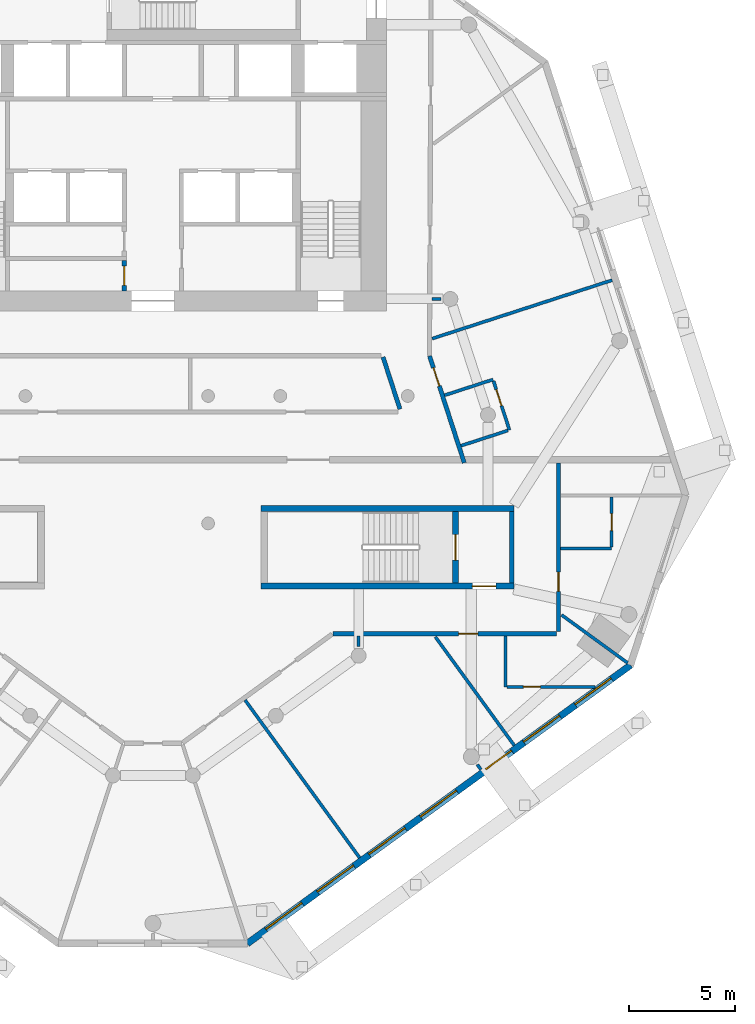
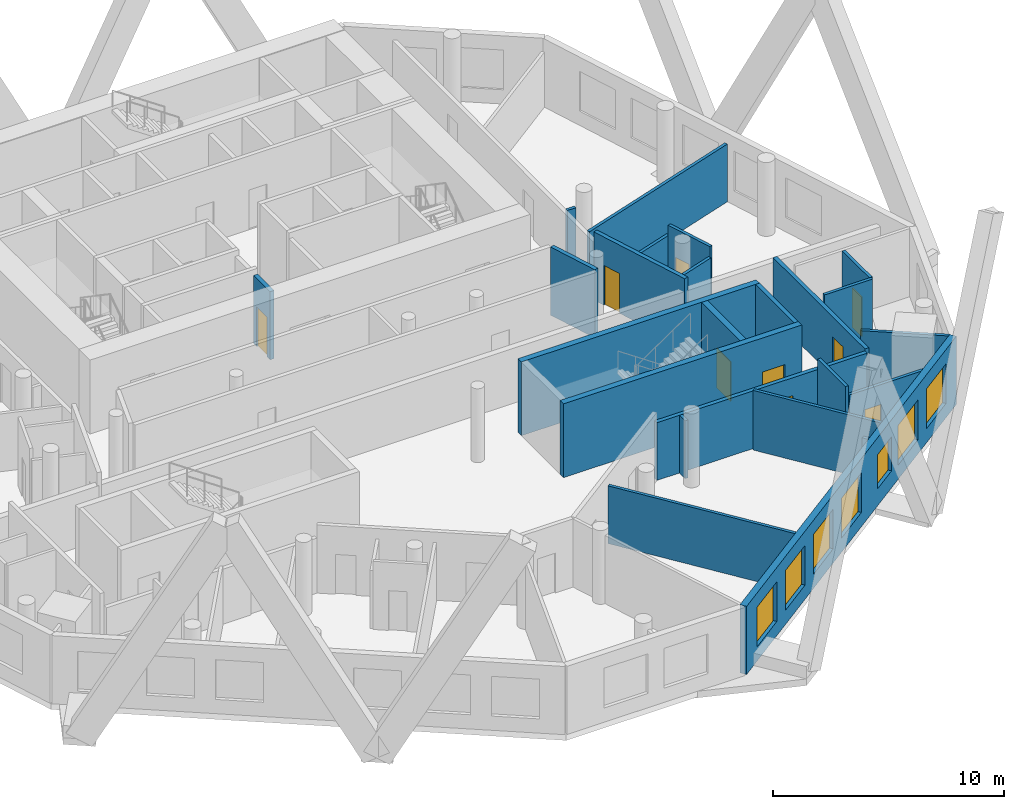
# One storey, part 5 of 10: 24 walls, 9 doors, 7 windows, 16 openings.
"""IFC4 building model written with IfcOpenShell, lengths in metres."""

from ifc_helpers import new_model, si_unit, direction, frame, frame_2d, origin, place, context, subcontext, project, spatial, rectangle, extrude, material, layer, layer_set, type_object, element, fill, save


model = new_model("IFC4")

# Units and contexts
model_context = context("Model", 3, precision=1e-05, world=origin(), true_north=direction((0.0, 1.0)))
body_context = subcontext(model_context, "Body", "Model", "MODEL_VIEW")
ifc_project = project(units=[si_unit("LENGTHUNIT", "METRE"), si_unit("AREAUNIT", "SQUARE_METRE"), si_unit("VOLUMEUNIT", "CUBIC_METRE"), si_unit("PLANEANGLEUNIT", "RADIAN"), si_unit("MASSUNIT", "GRAM", prefix="KILO")], contexts=[model_context])

# Site, building, storey
site_placement = place(None, origin())
site = spatial("IfcSite", under=ifc_project, at=site_placement, CompositionType="ELEMENT")
building_placement = place(site_placement, origin())
building = spatial("IfcBuilding", under=site, at=building_placement, Name="White Candle Pilgrim Tower", CompositionType="ELEMENT")
storey_placement = place(building_placement, frame((0.0, 0.0, 172.0)))
storey = spatial("IfcBuildingStorey", under=building, at=storey_placement, Name="L39", CompositionType="ELEMENT", Elevation=172.0)

# Wall
ifc_material_1 = material(Name="Concrete C60/75", Category="concrete")
ifc_layer_1 = layer(ifc_material_1, 0.199951171875)
ifc_layer_set_1 = layer_set([ifc_layer_1], Name="Core wall 200 mm Concrete C60/75")
wall_type_1 = type_object("IfcWallType", Name="Core wall 200 mm Concrete C60/75", PredefinedType="SHEAR", material=ifc_layer_set_1)
wall_1_placement = place(storey_placement, frame((86.89990234375, 58.199951171875, 0.0), z_axis=(0.0, 0.0, 1.0), x_axis=(0.0, 1.0, 0.0)))
element("IfcWall", 1, at=wall_1_placement, inside=storey, type_object=wall_type_1, Name="WL-L39-C08", PredefinedType="SHEAR", context=body_context, shape_type="SweptSolid", body=[
    extrude(rectangle(XDim=3.35009765625, YDim=0.199951171875, at=frame_2d((1.675048828125, 0.0))), origin(), (0.0, 0.0, 1.0), 3.89990234375),
])

# Wall, opening, door
ifc_material_2 = material(Name="Gypsum board on steel studs", Category="steel")
ifc_layer_2 = layer(ifc_material_2, 0.199951171875)
ifc_layer_set_2 = layer_set([ifc_layer_2], Name="Corridor wall 200 mm EI 45")
wall_type_2 = type_object("IfcWallType", Name="Corridor wall 200 mm EI 45", PredefinedType="PARTITIONING", material=ifc_layer_set_2)
wall_2_placement = place(storey_placement, frame((83.029541015625, 68.884765625, 0.0), z_axis=(0.0, 0.0, 1.0), x_axis=(0.308996388153, -0.951063211416, 0.0)))
wall_2 = element("IfcWall", 2, at=wall_2_placement, inside=storey, type_object=wall_type_2, Name="WL-L39-P005", PredefinedType="PARTITIONING", context=body_context, shape_type="SweptSolid", body=[
    extrude(rectangle(XDim=5.293701171875, YDim=0.199951171875, at=frame_2d((2.64697265625, 0.0))), origin(), (0.0, 0.0, 1.0), 3.60009765625),
])
opening_1_placement = place(wall_2_placement, frame((0.588134765625, 0.0, 0.0)))
opening_1 = element("IfcOpeningElement", 3, at=opening_1_placement, cuts=wall_2, Name="Opening T12-127", PredefinedType="OPENING", context=body_context, shape_type="SweptSolid", body=[
    extrude(rectangle(XDim=0.89990234375, YDim=2.10009765625, at=frame_2d((0.449951171875, 1.050048828125))), frame((0.0, 0.10986328125, 0.0), z_axis=(0.0, -1.0, 0.0), x_axis=(1.0, 0.0, 0.0)), (0.0, 0.0, 1.0), 0.219970703125),
])
ifc_material_3 = material(Name="Steel door leaf", Category="steel")
door_type_1 = type_object("IfcDoorType", Name="Fire door 900 x 2100 EI 30", OperationType="NOTDEFINED", PredefinedType="DOOR", material=ifc_material_3)
door_1_placement = place(opening_1_placement, origin())
door_1 = element("IfcDoor", 4, at=door_1_placement, inside=storey, type_object=door_type_1, Name="Door T12-127", OperationType="SINGLE_SWING_LEFT", OverallHeight=2.10009765625, OverallWidth=0.89990234375, PredefinedType="DOOR", context=body_context, shape_type="SweptSolid", body=[
    extrude(rectangle(XDim=0.89990234375, YDim=2.10009765625, at=frame_2d((0.449951171875, 1.050048828125))), frame((0.0, 0.02490234375, 0.0), z_axis=(0.0, -1.0, 0.0), x_axis=(1.0, 0.0, 0.0)), (0.0, 0.0, 1.0), 0.050048828125),
])
fill(opening_1, door_1)

wall_3_placement = place(storey_placement, frame((89.10009765625, 63.85009765625, 0.0), z_axis=(0.0, 0.0, 1.0), x_axis=(0.0, -1.0, 0.0)))
wall_3 = element("IfcWall", 5, at=wall_3_placement, inside=storey, type_object=wall_type_2, Name="WL-L39-P006", PredefinedType="PARTITIONING", context=body_context, shape_type="SweptSolid", body=[
    extrude(rectangle(XDim=7.9501953125, YDim=0.199951171875, at=frame_2d((3.97509765625, 0.0))), origin(), (0.0, 0.0, 1.0), 3.14990234375),
])
opening_2_placement = place(wall_3_placement, frame((5.145263671875, 0.0, 0.0)))
opening_2 = element("IfcOpeningElement", 6, at=opening_2_placement, cuts=wall_3, Name="Opening T12-116", PredefinedType="OPENING", context=body_context, shape_type="SweptSolid", body=[
    extrude(rectangle(XDim=0.89990234375, YDim=2.10009765625, at=frame_2d((0.449951171875, 1.050048828125))), frame((0.0, 0.10986328125, 0.0), z_axis=(0.0, -1.0, 0.0), x_axis=(1.0, 0.0, 0.0)), (0.0, 0.0, 1.0), 0.219970703125),
])
door_2_placement = place(opening_2_placement, origin())
door_2 = element("IfcDoor", 7, at=door_2_placement, inside=storey, type_object=door_type_1, Name="Door T12-116", OperationType="SINGLE_SWING_RIGHT", OverallHeight=2.10009765625, OverallWidth=0.89990234375, PredefinedType="DOOR", context=body_context, shape_type="SweptSolid", body=[
    extrude(rectangle(XDim=0.89990234375, YDim=2.10009765625, at=frame_2d((0.449951171875, 1.050048828125))), frame((0.0, 0.02490234375, 0.0), z_axis=(0.0, -1.0, 0.0), x_axis=(1.0, 0.0, 0.0)), (0.0, 0.0, 1.0), 0.050048828125),
])
fill(opening_2, door_2)

wall_4_placement = place(storey_placement, frame((89.0, 55.800048828125, 0.0), z_axis=(0.0, 0.0, 1.0), x_axis=(-1.0, 0.0, 0.0)))
wall_4 = element("IfcWall", 8, at=wall_4_placement, inside=storey, type_object=wall_type_2, Name="WL-L39-P007", PredefinedType="PARTITIONING", context=body_context, shape_type="SweptSolid", body=[
    extrude(rectangle(XDim=10.5068359375, YDim=0.199951171875, at=frame_2d((5.25341796875, 0.0))), origin(), (0.0, 0.0, 1.0), 3.050048828125),
])
opening_3_placement = place(wall_4_placement, frame((3.700927734375, 0.0, 0.0)))
opening_3 = element("IfcOpeningElement", 9, at=opening_3_placement, cuts=wall_4, Name="Opening T12-114", PredefinedType="OPENING", context=body_context, shape_type="SweptSolid", body=[
    extrude(rectangle(XDim=0.89990234375, YDim=2.10009765625, at=frame_2d((0.449951171875, 1.050048828125))), frame((0.0, 0.10986328125, 0.0), z_axis=(0.0, -1.0, 0.0), x_axis=(1.0, 0.0, 0.0)), (0.0, 0.0, 1.0), 0.219970703125),
])
door_3_placement = place(opening_3_placement, origin())
door_3 = element("IfcDoor", 10, at=door_3_placement, inside=storey, type_object=door_type_1, Name="Door T12-114", OperationType="SINGLE_SWING_RIGHT", OverallHeight=2.10009765625, OverallWidth=0.89990234375, PredefinedType="DOOR", context=body_context, shape_type="SweptSolid", body=[
    extrude(rectangle(XDim=0.89990234375, YDim=2.10009765625, at=frame_2d((0.449951171875, 1.050048828125))), frame((0.0, 0.02490234375, 0.0), z_axis=(0.0, -1.0, 0.0), x_axis=(1.0, 0.0, 0.0)), (0.0, 0.0, 1.0), 0.050048828125),
])
fill(opening_3, door_3)

# Wall
wall_5_placement = place(storey_placement, frame((81.635009765625, 66.380859375, 0.0), z_axis=(0.0, 0.0, 1.0), x_axis=(-0.309053927645, 0.951044515155, 0.0)))
element("IfcWall", 11, at=wall_5_placement, inside=storey, type_object=wall_type_2, Name="WL-L39-P015", PredefinedType="PARTITIONING", context=body_context, shape_type="SweptSolid", body=[
    extrude(rectangle(XDim=2.576171875, YDim=0.199951171875, at=frame_2d((1.2880859375, 0.0))), origin(), (0.0, 0.0, 1.0), 3.60009765625),
])

# Wall, openings, windows
ifc_material_4 = material(Name="Precast concrete C40/50", Category="concrete")
ifc_layer_3 = layer(ifc_material_4, 0.320068359375)
ifc_layer_set_3 = layer_set([ifc_layer_3], Name="Facade wall EW1 precast concrete C40/50 pier wall with timber-lined reveals")
wall_type_3 = type_object("IfcWallType", Name="Facade wall EW1 precast concrete C40/50 pier wall with timber-lined reveals", PredefinedType="SOLIDWALL", material=ifc_layer_set_3)
wall_6_placement = place(storey_placement, frame((74.44384765625, 41.213134765625, 0.0), z_axis=(0.0, 0.0, 1.0), x_axis=(0.80901752216, 0.587784525858, 0.0)))
wall_6 = element("IfcWall", 12, at=wall_6_placement, inside=storey, type_object=wall_type_3, Name="Facade wall L39 SE", PredefinedType="SOLIDWALL", context=body_context, shape_type="SweptSolid", body=[
    extrude(rectangle(XDim=22.3125, YDim=0.320068359375, at=frame_2d((11.15625, 0.0))), origin(), (0.0, 0.0, 1.0), 3.60009765625),
])
opening_4_placement = place(wall_6_placement, frame((1.1064453125, 0.0, 0.75)))
opening_4 = element("IfcOpeningElement", 13, at=opening_4_placement, cuts=wall_6, Name="Opening W3", PredefinedType="OPENING", context=body_context, shape_type="SweptSolid", body=[
    extrude(rectangle(XDim=2.10009765625, YDim=2.10009765625, at=frame_2d((1.050048828125, 1.050048828125))), frame((0.0, 0.169921875, 0.0), z_axis=(0.0, -1.0, 0.0), x_axis=(1.0, 0.0, 0.0)), (0.0, 0.0, 1.0), 0.340087890625),
])
opening_5_placement = place(wall_6_placement, frame((4.1064453125, 0.0, 0.75)))
opening_5 = element("IfcOpeningElement", 14, at=opening_5_placement, cuts=wall_6, Name="Opening W3", PredefinedType="OPENING", context=body_context, shape_type="SweptSolid", body=[
    extrude(rectangle(XDim=2.10009765625, YDim=2.10009765625, at=frame_2d((1.050048828125, 1.050048828125))), frame((0.0, 0.169921875, 0.0), z_axis=(0.0, -1.0, 0.0), x_axis=(1.0, 0.0, 0.0)), (0.0, 0.0, 1.0), 0.340087890625),
])
opening_6_placement = place(wall_6_placement, frame((7.1064453125, 0.0, 0.75)))
opening_6 = element("IfcOpeningElement", 15, at=opening_6_placement, cuts=wall_6, Name="Opening W3", PredefinedType="OPENING", context=body_context, shape_type="SweptSolid", body=[
    extrude(rectangle(XDim=2.10009765625, YDim=2.10009765625, at=frame_2d((1.050048828125, 1.050048828125))), frame((0.0, 0.169921875, 0.0), z_axis=(0.0, -1.0, 0.0), x_axis=(1.0, 0.0, 0.0)), (0.0, 0.0, 1.0), 0.340087890625),
])
opening_7_placement = place(wall_6_placement, frame((10.1064453125, 0.0, 0.75)))
opening_7 = element("IfcOpeningElement", 16, at=opening_7_placement, cuts=wall_6, Name="Opening W3", PredefinedType="OPENING", context=body_context, shape_type="SweptSolid", body=[
    extrude(rectangle(XDim=2.10009765625, YDim=2.10009765625, at=frame_2d((1.050048828125, 1.050048828125))), frame((0.0, 0.169921875, 0.0), z_axis=(0.0, -1.0, 0.0), x_axis=(1.0, 0.0, 0.0)), (0.0, 0.0, 1.0), 0.340087890625),
])
opening_8_placement = place(wall_6_placement, frame((13.906494140625, 0.0, 0.89990234375)))
opening_8 = element("IfcOpeningElement", 17, at=opening_8_placement, cuts=wall_6, Name="Opening W1", PredefinedType="OPENING", context=body_context, shape_type="SweptSolid", body=[
    extrude(rectangle(XDim=1.5, YDim=1.800048828125, at=frame_2d((0.75, 0.89990234375))), frame((0.0, 0.169921875, 0.0), z_axis=(0.0, -1.0, 0.0), x_axis=(1.0, 0.0, 0.0)), (0.0, 0.0, 1.0), 0.340087890625),
])
opening_9_placement = place(wall_6_placement, frame((16.1064453125, 0.0, 0.75)))
opening_9 = element("IfcOpeningElement", 18, at=opening_9_placement, cuts=wall_6, Name="Opening W3", PredefinedType="OPENING", context=body_context, shape_type="SweptSolid", body=[
    extrude(rectangle(XDim=2.10009765625, YDim=2.10009765625, at=frame_2d((1.050048828125, 1.050048828125))), frame((0.0, 0.169921875, 0.0), z_axis=(0.0, -1.0, 0.0), x_axis=(1.0, 0.0, 0.0)), (0.0, 0.0, 1.0), 0.340087890625),
])
opening_10_placement = place(wall_6_placement, frame((19.1064453125, 0.0, 0.75)))
opening_10 = element("IfcOpeningElement", 19, at=opening_10_placement, cuts=wall_6, Name="Opening W3", PredefinedType="OPENING", context=body_context, shape_type="SweptSolid", body=[
    extrude(rectangle(XDim=2.10009765625, YDim=2.10009765625, at=frame_2d((1.050048828125, 1.050048828125))), frame((0.0, 0.169921875, 0.0), z_axis=(0.0, -1.0, 0.0), x_axis=(1.0, 0.0, 0.0)), (0.0, 0.0, 1.0), 0.340087890625),
])
ifc_material_5 = material(Name="Timber frame with triple glazing", Category="wood")
window_type_1 = type_object("IfcWindowType", Name="Window W1 1500x1800 timber frame triple glazing", PartitioningType="SINGLE_PANEL", PredefinedType="WINDOW", material=ifc_material_5)
window_1_placement = place(opening_8_placement, origin())
window_1 = element("IfcWindow", 20, at=window_1_placement, inside=storey, type_object=window_type_1, Name="Window W1 L39 SE 5", OverallHeight=1.800048828125, OverallWidth=1.5, PartitioningType="SINGLE_PANEL", PredefinedType="WINDOW", context=body_context, shape_type="SweptSolid", body=[
    extrude(rectangle(XDim=1.5, YDim=1.800048828125, at=frame_2d((0.75, 0.89990234375))), frame((0.0, 0.070068359375, 0.0), z_axis=(0.0, -1.0, 0.0), x_axis=(1.0, 0.0, 0.0)), (0.0, 0.0, 1.0), 0.06005859375),
])
fill(opening_8, window_1)
window_type_2 = type_object("IfcWindowType", Name="Window W3 2100x2100 timber frame triple glazing", PartitioningType="SINGLE_PANEL", PredefinedType="WINDOW", material=ifc_material_5)
window_2_placement = place(opening_4_placement, origin())
window_2 = element("IfcWindow", 21, at=window_2_placement, inside=storey, type_object=window_type_2, Name="Window W3 L39 SE 1", OverallHeight=2.10009765625, OverallWidth=2.10009765625, PartitioningType="SINGLE_PANEL", PredefinedType="WINDOW", context=body_context, shape_type="SweptSolid", body=[
    extrude(rectangle(XDim=2.10009765625, YDim=2.10009765625, at=frame_2d((1.050048828125, 1.050048828125))), frame((0.0, 0.070068359375, 0.0), z_axis=(0.0, -1.0, 0.0), x_axis=(1.0, 0.0, 0.0)), (0.0, 0.0, 1.0), 0.06005859375),
])
fill(opening_4, window_2)
window_3_placement = place(opening_5_placement, origin())
window_3 = element("IfcWindow", 22, at=window_3_placement, inside=storey, type_object=window_type_2, Name="Window W3 L39 SE 2", OverallHeight=2.10009765625, OverallWidth=2.10009765625, PartitioningType="SINGLE_PANEL", PredefinedType="WINDOW", context=body_context, shape_type="SweptSolid", body=[
    extrude(rectangle(XDim=2.10009765625, YDim=2.10009765625, at=frame_2d((1.050048828125, 1.050048828125))), frame((0.0, 0.070068359375, 0.0), z_axis=(0.0, -1.0, 0.0), x_axis=(1.0, 0.0, 0.0)), (0.0, 0.0, 1.0), 0.06005859375),
])
fill(opening_5, window_3)
window_4_placement = place(opening_6_placement, origin())
window_4 = element("IfcWindow", 23, at=window_4_placement, inside=storey, type_object=window_type_2, Name="Window W3 L39 SE 3", OverallHeight=2.10009765625, OverallWidth=2.10009765625, PartitioningType="SINGLE_PANEL", PredefinedType="WINDOW", context=body_context, shape_type="SweptSolid", body=[
    extrude(rectangle(XDim=2.10009765625, YDim=2.10009765625, at=frame_2d((1.050048828125, 1.050048828125))), frame((0.0, 0.070068359375, 0.0), z_axis=(0.0, -1.0, 0.0), x_axis=(1.0, 0.0, 0.0)), (0.0, 0.0, 1.0), 0.06005859375),
])
fill(opening_6, window_4)
window_5_placement = place(opening_7_placement, origin())
window_5 = element("IfcWindow", 24, at=window_5_placement, inside=storey, type_object=window_type_2, Name="Window W3 L39 SE 4", OverallHeight=2.10009765625, OverallWidth=2.10009765625, PartitioningType="SINGLE_PANEL", PredefinedType="WINDOW", context=body_context, shape_type="SweptSolid", body=[
    extrude(rectangle(XDim=2.10009765625, YDim=2.10009765625, at=frame_2d((1.050048828125, 1.050048828125))), frame((0.0, 0.070068359375, 0.0), z_axis=(0.0, -1.0, 0.0), x_axis=(1.0, 0.0, 0.0)), (0.0, 0.0, 1.0), 0.06005859375),
])
fill(opening_7, window_5)
window_6_placement = place(opening_9_placement, origin())
window_6 = element("IfcWindow", 25, at=window_6_placement, inside=storey, type_object=window_type_2, Name="Window W3 L39 SE 6", OverallHeight=2.10009765625, OverallWidth=2.10009765625, PartitioningType="SINGLE_PANEL", PredefinedType="WINDOW", context=body_context, shape_type="SweptSolid", body=[
    extrude(rectangle(XDim=2.10009765625, YDim=2.10009765625, at=frame_2d((1.050048828125, 1.050048828125))), frame((0.0, 0.070068359375, 0.0), z_axis=(0.0, -1.0, 0.0), x_axis=(1.0, 0.0, 0.0)), (0.0, 0.0, 1.0), 0.06005859375),
])
fill(opening_9, window_6)
window_7_placement = place(opening_10_placement, origin())
window_7 = element("IfcWindow", 26, at=window_7_placement, inside=storey, type_object=window_type_2, Name="Window W3 L39 SE 7", OverallHeight=2.10009765625, OverallWidth=2.10009765625, PartitioningType="SINGLE_PANEL", PredefinedType="WINDOW", context=body_context, shape_type="SweptSolid", body=[
    extrude(rectangle(XDim=2.10009765625, YDim=2.10009765625, at=frame_2d((1.050048828125, 1.050048828125))), frame((0.0, 0.070068359375, 0.0), z_axis=(0.0, -1.0, 0.0), x_axis=(1.0, 0.0, 0.0)), (0.0, 0.0, 1.0), 0.06005859375),
])
fill(opening_10, window_7)

# Wall, opening, door
ifc_layer_4 = layer(ifc_material_2, 0.199951171875)
ifc_layer_set_4 = layer_set([ifc_layer_4], Name="Lobby wall 200 mm EI 60")
wall_type_4 = type_object("IfcWallType", Name="Lobby wall 200 mm EI 60", PredefinedType="PARTITIONING", material=ifc_layer_set_4)
wall_7_placement = place(storey_placement, frame((68.64990234375, 71.949951171875, 0.0), z_axis=(0.0, 0.0, 1.0), x_axis=(0.0, 1.0, 0.0)))
wall_7 = element("IfcWall", 27, at=wall_7_placement, inside=storey, type_object=wall_type_4, Name="WL-L39-C14", PredefinedType="PARTITIONING", context=body_context, shape_type="SweptSolid", body=[
    extrude(rectangle(XDim=1.425048828125, YDim=0.199951171875, at=frame_2d((0.71240234375, 0.0))), origin(), (0.0, 0.0, 1.0), 3.60009765625),
])
opening_11_placement = place(wall_7_placement, frame((0.262451171875, 0.0, 0.0)))
opening_11 = element("IfcOpeningElement", 28, at=opening_11_placement, cuts=wall_7, Name="Opening T12-005", PredefinedType="OPENING", context=body_context, shape_type="SweptSolid", body=[
    extrude(rectangle(XDim=0.89990234375, YDim=2.10009765625, at=frame_2d((0.449951171875, 1.050048828125))), frame((0.0, 0.10986328125, 0.0), z_axis=(0.0, -1.0, 0.0), x_axis=(1.0, 0.0, 0.0)), (0.0, 0.0, 1.0), 0.219970703125),
])
door_4_placement = place(opening_11_placement, origin())
door_4 = element("IfcDoor", 29, at=door_4_placement, inside=storey, type_object=door_type_1, Name="Door T12-005", OperationType="SINGLE_SWING_LEFT", OverallHeight=2.10009765625, OverallWidth=0.89990234375, PredefinedType="DOOR", context=body_context, shape_type="SweptSolid", body=[
    extrude(rectangle(XDim=0.89990234375, YDim=2.10009765625, at=frame_2d((0.449951171875, 1.050048828125))), frame((0.0, 0.02490234375, 0.0), z_axis=(0.0, -1.0, 0.0), x_axis=(1.0, 0.0, 0.0)), (0.0, 0.0, 1.0), 0.050048828125),
])
fill(opening_11, door_4)

# Walls
ifc_layer_5 = layer(ifc_material_2, 0.14990234375)
ifc_layer_set_5 = layer_set([ifc_layer_5], Name="Partition 150 mm EI 60")
wall_type_5 = type_object("IfcWallType", Name="Partition 150 mm EI 60", PredefinedType="PARTITIONING", material=ifc_layer_set_5)
wall_8_placement = place(storey_placement, frame((92.35888671875, 54.427001953125, 0.0), z_axis=(0.0, 0.0, 1.0), x_axis=(-0.808993762588, 0.587817226775, 0.0)))
element("IfcWall", 30, at=wall_8_placement, inside=storey, type_object=wall_type_5, Name="WL-L39-P022", PredefinedType="PARTITIONING", context=body_context, shape_type="SweptSolid", body=[
    extrude(rectangle(XDim=3.85009765625, YDim=0.14990234375, at=frame_2d((1.925048828125, 0.0))), origin(), (0.0, 0.0, 1.0), 3.60009765625),
])
wall_9_placement = place(storey_placement, frame((79.73486328125, 45.2548828125, 0.0), z_axis=(0.0, 0.0, 1.0), x_axis=(-0.587765230576, 0.809031540625, 0.0)))
element("IfcWall", 31, at=wall_9_placement, inside=storey, type_object=wall_type_5, Name="WL-L39-P038", PredefinedType="PARTITIONING", context=body_context, shape_type="SweptSolid", body=[
    extrude(rectangle(XDim=9.18017578125, YDim=0.14990234375, at=frame_2d((4.590087890625, 0.0))), origin(), (0.0, 0.0, 1.0), 3.050048828125),
])
wall_10_placement = place(storey_placement, frame((87.01611328125, 50.545166015625, 0.0), z_axis=(0.0, 0.0, 1.0), x_axis=(-0.587799384359, 0.809006726639, 0.0)))
element("IfcWall", 32, at=wall_10_placement, inside=storey, type_object=wall_type_5, Name="WL-L39-P039", PredefinedType="PARTITIONING", context=body_context, shape_type="SweptSolid", body=[
    extrude(rectangle(XDim=6.3173828125, YDim=0.14990234375, at=frame_2d((3.15869140625, 0.0))), origin(), (0.0, 0.0, 1.0), 3.14990234375),
])
wall_11_placement = place(storey_placement, frame((86.60009765625, 55.699951171875, 0.0), z_axis=(0.0, 0.0, 1.0), x_axis=(0.0, -1.0, 0.0)))
element("IfcWall", 33, at=wall_11_placement, inside=storey, type_object=wall_type_5, Name="WL-L39-P040", PredefinedType="PARTITIONING", context=body_context, shape_type="SweptSolid", body=[
    extrude(rectangle(XDim=2.39990234375, YDim=0.14990234375, at=frame_2d((1.199951171875, 0.0))), origin(), (0.0, 0.0, 1.0), 3.60009765625),
])

# Wall, opening, door
wall_12_placement = place(storey_placement, frame((90.807861328125, 53.300048828125, 0.0), z_axis=(0.0, 0.0, 1.0), x_axis=(-1.0, 0.0, 0.0)))
wall_12 = element("IfcWall", 34, at=wall_12_placement, inside=storey, type_object=wall_type_5, Name="WL-L39-P041", PredefinedType="PARTITIONING", context=body_context, shape_type="SweptSolid", body=[
    extrude(rectangle(XDim=4.1328125, YDim=0.14990234375, at=frame_2d((2.06640625, 0.0))), origin(), (0.0, 0.0, 1.0), 3.14990234375),
])
opening_12_placement = place(wall_12_placement, frame((2.557861328125, 0.0, 0.0)))
opening_12 = element("IfcOpeningElement", 35, at=opening_12_placement, cuts=wall_12, Name="Opening T12-113", PredefinedType="OPENING", context=body_context, shape_type="SweptSolid", body=[
    extrude(rectangle(XDim=0.800048828125, YDim=2.10009765625, at=frame_2d((0.39990234375, 1.050048828125))), frame((0.0, 0.0849609375, 0.0), z_axis=(0.0, -1.0, 0.0), x_axis=(1.0, 0.0, 0.0)), (0.0, 0.0, 1.0), 0.169921875),
])
door_type_2 = type_object("IfcDoorType", Name="Fire door 800 x 2100 EI 30", OperationType="NOTDEFINED", PredefinedType="DOOR", material=ifc_material_3)
door_5_placement = place(opening_12_placement, origin())
door_5 = element("IfcDoor", 36, at=door_5_placement, inside=storey, type_object=door_type_2, Name="Door T12-113", OperationType="SINGLE_SWING_LEFT", OverallHeight=2.10009765625, OverallWidth=0.800048828125, PredefinedType="DOOR", context=body_context, shape_type="SweptSolid", body=[
    extrude(rectangle(XDim=0.800048828125, YDim=2.10009765625, at=frame_2d((0.39990234375, 1.050048828125))), frame((0.0, 0.02490234375, 0.0), z_axis=(0.0, -1.0, 0.0), x_axis=(1.0, 0.0, 0.0)), (0.0, 0.0, 1.0), 0.050048828125),
])
fill(opening_12, door_5)

# Wall
wall_13_placement = place(storey_placement, frame((89.199951171875, 59.814453125, 0.0), z_axis=(0.0, 0.0, 1.0), x_axis=(1.0, 0.0, 0.0)))
element("IfcWall", 37, at=wall_13_placement, inside=storey, type_object=wall_type_5, Name="WL-L39-P042", PredefinedType="PARTITIONING", context=body_context, shape_type="SweptSolid", body=[
    extrude(rectangle(XDim=2.400146484375, YDim=0.14990234375, at=frame_2d((1.2001953125, 0.0))), origin(), (0.0, 0.0, 1.0), 3.60009765625),
])

# Wall, opening, door
wall_14_placement = place(storey_placement, frame((91.60009765625, 62.239501953125, 0.0), z_axis=(0.0, 0.0, 1.0), x_axis=(0.0, -1.0, 0.0)))
wall_14 = element("IfcWall", 38, at=wall_14_placement, inside=storey, type_object=wall_type_5, Name="WL-L39-P043", PredefinedType="PARTITIONING", context=body_context, shape_type="SweptSolid", body=[
    extrude(rectangle(XDim=2.35009765625, YDim=0.14990234375, at=frame_2d((1.175048828125, 0.0))), origin(), (0.0, 0.0, 1.0), 3.60009765625),
])
opening_13_placement = place(wall_14_placement, frame((0.77490234375, 0.0, 0.0)))
opening_13 = element("IfcOpeningElement", 39, at=opening_13_placement, cuts=wall_14, Name="Opening T12-115", PredefinedType="OPENING", context=body_context, shape_type="SweptSolid", body=[
    extrude(rectangle(XDim=0.800048828125, YDim=2.10009765625, at=frame_2d((0.39990234375, 1.050048828125))), frame((0.0, 0.0849609375, 0.0), z_axis=(0.0, -1.0, 0.0), x_axis=(1.0, 0.0, 0.0)), (0.0, 0.0, 1.0), 0.169921875),
])
door_6_placement = place(opening_13_placement, origin())
door_6 = element("IfcDoor", 40, at=door_6_placement, inside=storey, type_object=door_type_2, Name="Door T12-115", OperationType="SINGLE_SWING_LEFT", OverallHeight=2.10009765625, OverallWidth=0.800048828125, PredefinedType="DOOR", context=body_context, shape_type="SweptSolid", body=[
    extrude(rectangle(XDim=0.800048828125, YDim=2.10009765625, at=frame_2d((0.39990234375, 1.050048828125))), frame((0.0, 0.02490234375, 0.0), z_axis=(0.0, -1.0, 0.0), x_axis=(1.0, 0.0, 0.0)), (0.0, 0.0, 1.0), 0.050048828125),
])
fill(opening_13, door_6)

# Walls
wall_15_placement = place(storey_placement, frame((91.627197265625, 72.45458984375, 0.0), z_axis=(0.0, 0.0, 1.0), x_axis=(-0.951055809184, -0.30901917063, 0.0)))
element("IfcWall", 41, at=wall_15_placement, inside=storey, type_object=wall_type_5, Name="WL-L39-P044", PredefinedType="PARTITIONING", context=body_context, shape_type="SweptSolid", body=[
    extrude(rectangle(XDim=8.911865234375, YDim=0.14990234375, at=frame_2d((4.4560546875, 0.0))), origin(), (0.0, 0.0, 1.0), 3.050048828125),
])
wall_16_placement = place(storey_placement, frame((83.736083984375, 67.0341796875, 0.0), z_axis=(0.0, 0.0, 1.0), x_axis=(0.951076672559, 0.308954952889, 0.0)))
element("IfcWall", 42, at=wall_16_placement, inside=storey, type_object=wall_type_5, Name="WL-L39-P045", PredefinedType="PARTITIONING", context=body_context, shape_type="SweptSolid", body=[
    extrude(rectangle(XDim=2.39990234375, YDim=0.14990234375, at=frame_2d((1.199951171875, 0.0))), origin(), (0.0, 0.0, 1.0), 3.050048828125),
])

# Wall, opening, door
wall_17_placement = place(storey_placement, frame((86.791015625, 65.398193359375, 0.0), z_axis=(0.0, 0.0, 1.0), x_axis=(-0.308999558984, 0.95106218122, 0.0)))
wall_17 = element("IfcWall", 43, at=wall_17_placement, inside=storey, type_object=wall_type_5, Name="WL-L39-P046", PredefinedType="PARTITIONING", context=body_context, shape_type="SweptSolid", body=[
    extrude(rectangle(XDim=2.4248046875, YDim=0.14990234375, at=frame_2d((1.21240234375, 0.0))), origin(), (0.0, 0.0, 1.0), 3.60009765625),
])
opening_14_placement = place(wall_17_placement, frame((1.199951171875, 0.0, 0.0)))
opening_14 = element("IfcOpeningElement", 44, at=opening_14_placement, cuts=wall_17, Name="Opening T12-117", PredefinedType="OPENING", context=body_context, shape_type="SweptSolid", body=[
    extrude(rectangle(XDim=0.800048828125, YDim=2.10009765625, at=frame_2d((0.39990234375, 1.050048828125))), frame((0.0, 0.0849609375, 0.0), z_axis=(0.0, -1.0, 0.0), x_axis=(1.0, 0.0, 0.0)), (0.0, 0.0, 1.0), 0.169921875),
])
door_7_placement = place(opening_14_placement, frame((0.800048828125, 0.0, 0.0), z_axis=(0.0, 0.0, 1.0), x_axis=(-1.0, 0.0, 0.0)))
door_7 = element("IfcDoor", 45, at=door_7_placement, inside=storey, type_object=door_type_2, Name="Door T12-117", OperationType="SINGLE_SWING_RIGHT", OverallHeight=2.10009765625, OverallWidth=0.800048828125, PredefinedType="DOOR", context=body_context, shape_type="SweptSolid", body=[
    extrude(rectangle(XDim=0.800048828125, YDim=2.10009765625, at=frame_2d((0.39990234375, 1.050048828125))), frame((0.0, 0.02490234375, 0.0), z_axis=(0.0, -1.0, 0.0), x_axis=(1.0, 0.0, 0.0)), (0.0, 0.0, 1.0), 0.050048828125),
])
fill(opening_14, door_7)

# Walls
wall_18_placement = place(storey_placement, frame((84.508544921875, 64.656494140625, 0.0), z_axis=(0.0, 0.0, 1.0), x_axis=(0.951050272606, 0.309036209813, 0.0)))
element("IfcWall", 46, at=wall_18_placement, inside=storey, type_object=wall_type_5, Name="WL-L39-P047", PredefinedType="PARTITIONING", context=body_context, shape_type="SweptSolid", body=[
    extrude(rectangle(XDim=2.324951171875, YDim=0.14990234375, at=frame_2d((1.16259765625, 0.0))), origin(), (0.0, 0.0, 1.0), 3.050048828125),
])
wall_19_placement = place(storey_placement, frame((85.28076171875, 49.639404296875, 0.0), z_axis=(0.0, 0.0, 1.0), x_axis=(0.58796959634, -0.808883028491, 0.0)))
element("IfcWall", 47, at=wall_19_placement, inside=storey, type_object=wall_type_5, Name="WL-L39-P051", PredefinedType="PARTITIONING", context=body_context, shape_type="SweptSolid", body=[
    extrude(rectangle(XDim=0.287353515625, YDim=0.14990234375, at=frame_2d((0.1435546875, 0.0))), origin(), (0.0, 0.0, 1.0), 3.60009765625),
])
wall_20_placement = place(storey_placement, frame((79.687744140625, 55.2099609375, 0.0), z_axis=(0.0, 0.0, 1.0), x_axis=(0.0, 1.0, 0.0)))
element("IfcWall", 48, at=wall_20_placement, inside=storey, type_object=wall_type_5, Name="WL-L39-P052", PredefinedType="PARTITIONING", context=body_context, shape_type="SweptSolid", body=[
    extrude(rectangle(XDim=0.489990234375, YDim=0.14990234375, at=frame_2d((0.2451171875, 0.0))), origin(), (0.0, 0.0, 1.0), 3.050048828125),
])
wall_21_placement = place(storey_placement, frame((83.570068359375, 71.572509765625, 0.0), z_axis=(0.0, 0.0, 1.0), x_axis=(-0.999992250075, 0.003936977362, 0.0)))
element("IfcWall", 49, at=wall_21_placement, inside=storey, type_object=wall_type_5, Name="WL-L39-P053", PredefinedType="PARTITIONING", context=body_context, shape_type="SweptSolid", body=[
    extrude(rectangle(XDim=0.43408203125, YDim=0.14990234375, at=frame_2d((0.217041015625, 0.0))), origin(), (0.0, 0.0, 1.0), 3.050048828125),
])

# Wall, opening, door
ifc_layer_6 = layer(ifc_material_1, 0.300048828125)
ifc_layer_set_6 = layer_set([ifc_layer_6], Name="Stair shaft wall 300 mm Concrete C60/75")
wall_type_6 = type_object("IfcWallType", Name="Stair shaft wall 300 mm Concrete C60/75", PredefinedType="SHEAR", material=ifc_layer_set_6)
wall_22_placement = place(storey_placement, frame((75.10009765625, 58.050048828125, 0.0), z_axis=(0.0, 0.0, 1.0), x_axis=(1.0, 0.0, 0.0)))
wall_22 = element("IfcWall", 50, at=wall_22_placement, inside=storey, type_object=wall_type_6, Name="WL-L39-C02", PredefinedType="SHEAR", context=body_context, shape_type="SweptSolid", body=[
    extrude(rectangle(XDim=11.89990234375, YDim=0.300048828125, at=frame_2d((5.949951171875, 0.0))), origin(), (0.0, 0.0, 1.0), 3.89990234375),
])
opening_15_placement = place(wall_22_placement, frame((9.949951171875, 0.0, 0.0)))
opening_15 = element("IfcOpeningElement", 51, at=opening_15_placement, cuts=wall_22, Name="Opening T12-012", PredefinedType="OPENING", context=body_context, shape_type="SweptSolid", body=[
    extrude(rectangle(XDim=1.10009765625, YDim=2.10009765625, at=frame_2d((0.550048828125, 1.050048828125))), frame((0.0, 0.159912109375, 0.0), z_axis=(0.0, -1.0, 0.0), x_axis=(1.0, 0.0, 0.0)), (0.0, 0.0, 1.0), 0.320068359375),
])
door_type_3 = type_object("IfcDoorType", Name="Fire door 1100 x 2100 EI 60", OperationType="NOTDEFINED", PredefinedType="DOOR", material=ifc_material_3)
door_8_placement = place(opening_15_placement, origin())
door_8 = element("IfcDoor", 52, at=door_8_placement, inside=storey, type_object=door_type_3, Name="Door T12-012", OperationType="SINGLE_SWING_RIGHT", OverallHeight=2.10009765625, OverallWidth=1.10009765625, PredefinedType="DOOR", context=body_context, shape_type="SweptSolid", body=[
    extrude(rectangle(XDim=1.10009765625, YDim=2.10009765625, at=frame_2d((0.550048828125, 1.050048828125))), frame((0.0, 0.02490234375, 0.0), z_axis=(0.0, -1.0, 0.0), x_axis=(1.0, 0.0, 0.0)), (0.0, 0.0, 1.0), 0.050048828125),
])
fill(opening_15, door_8)

wall_23_placement = place(storey_placement, frame((84.25, 58.199951171875, 0.0), z_axis=(0.0, 0.0, 1.0), x_axis=(0.0, 1.0, 0.0)))
wall_23 = element("IfcWall", 53, at=wall_23_placement, inside=storey, type_object=wall_type_6, Name="WL-L39-C07", PredefinedType="SHEAR", context=body_context, shape_type="SweptSolid", body=[
    extrude(rectangle(XDim=3.35009765625, YDim=0.300048828125, at=frame_2d((1.675048828125, 0.0))), origin(), (0.0, 0.0, 1.0), 3.89990234375),
])
opening_16_placement = place(wall_23_placement, frame((1.074951171875, 0.0, 0.0)))
opening_16 = element("IfcOpeningElement", 54, at=opening_16_placement, cuts=wall_23, Name="Opening T12-013", PredefinedType="OPENING", context=body_context, shape_type="SweptSolid", body=[
    extrude(rectangle(XDim=1.199951171875, YDim=2.10009765625, at=frame_2d((0.60009765625, 1.050048828125))), frame((0.0, 0.159912109375, 0.0), z_axis=(0.0, -1.0, 0.0), x_axis=(1.0, 0.0, 0.0)), (0.0, 0.0, 1.0), 0.320068359375),
])
door_type_4 = type_object("IfcDoorType", Name="Fire door 1200 x 2100 EI 60", OperationType="NOTDEFINED", PredefinedType="DOOR", material=ifc_material_3)
door_9_placement = place(opening_16_placement, origin())
door_9 = element("IfcDoor", 55, at=door_9_placement, inside=storey, type_object=door_type_4, Name="Door T12-013", OperationType="SINGLE_SWING_LEFT", OverallHeight=2.10009765625, OverallWidth=1.199951171875, PredefinedType="DOOR", context=body_context, shape_type="SweptSolid", body=[
    extrude(rectangle(XDim=1.199951171875, YDim=2.10009765625, at=frame_2d((0.60009765625, 1.050048828125))), frame((0.0, 0.02490234375, 0.0), z_axis=(0.0, -1.0, 0.0), x_axis=(1.0, 0.0, 0.0)), (0.0, 0.0, 1.0), 0.050048828125),
])
fill(opening_16, door_9)

# Wall
wall_24_placement = place(storey_placement, frame((75.10009765625, 61.699951171875, 0.0), z_axis=(0.0, 0.0, 1.0), x_axis=(1.0, 0.0, 0.0)))
element("IfcWall", 56, at=wall_24_placement, inside=storey, type_object=wall_type_6, Name="WL-L39-C10", PredefinedType="SHEAR", context=body_context, shape_type="SweptSolid", body=[
    extrude(rectangle(XDim=11.89990234375, YDim=0.300048828125, at=frame_2d((5.949951171875, 0.0))), origin(), (0.0, 0.0, 1.0), 3.89990234375),
])

save(model, "model.ifc")
